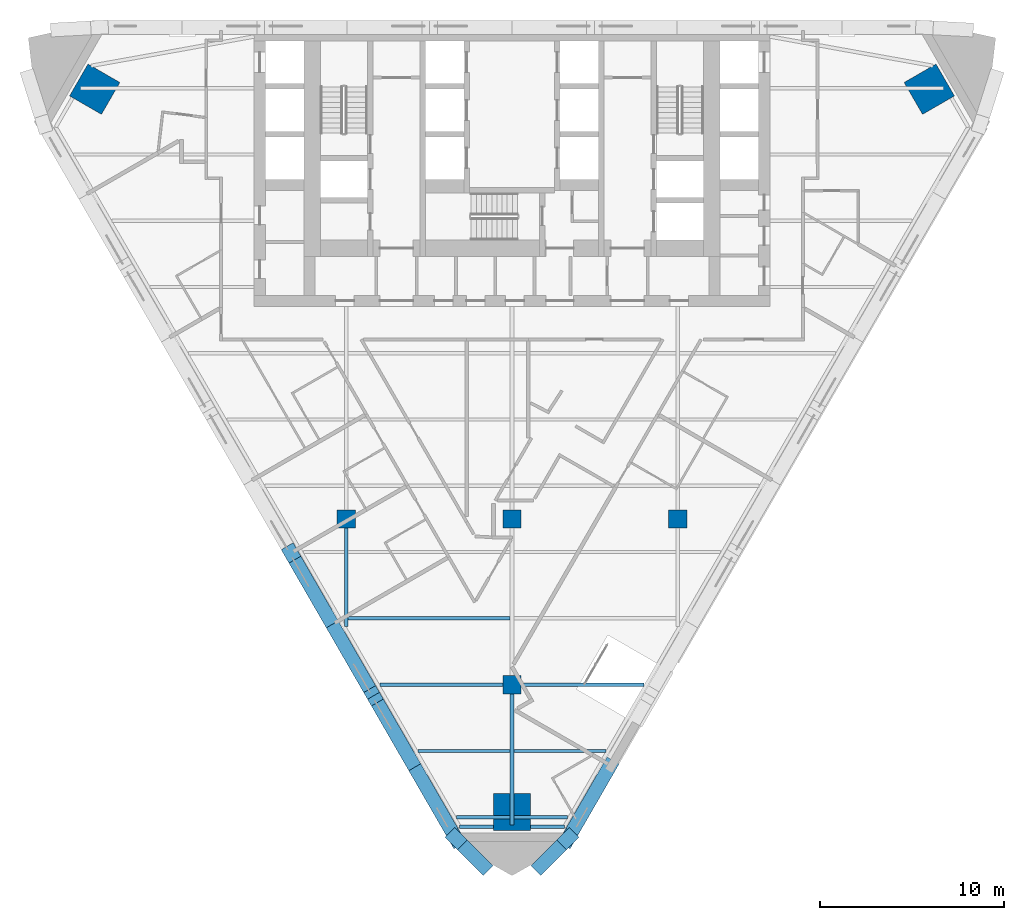
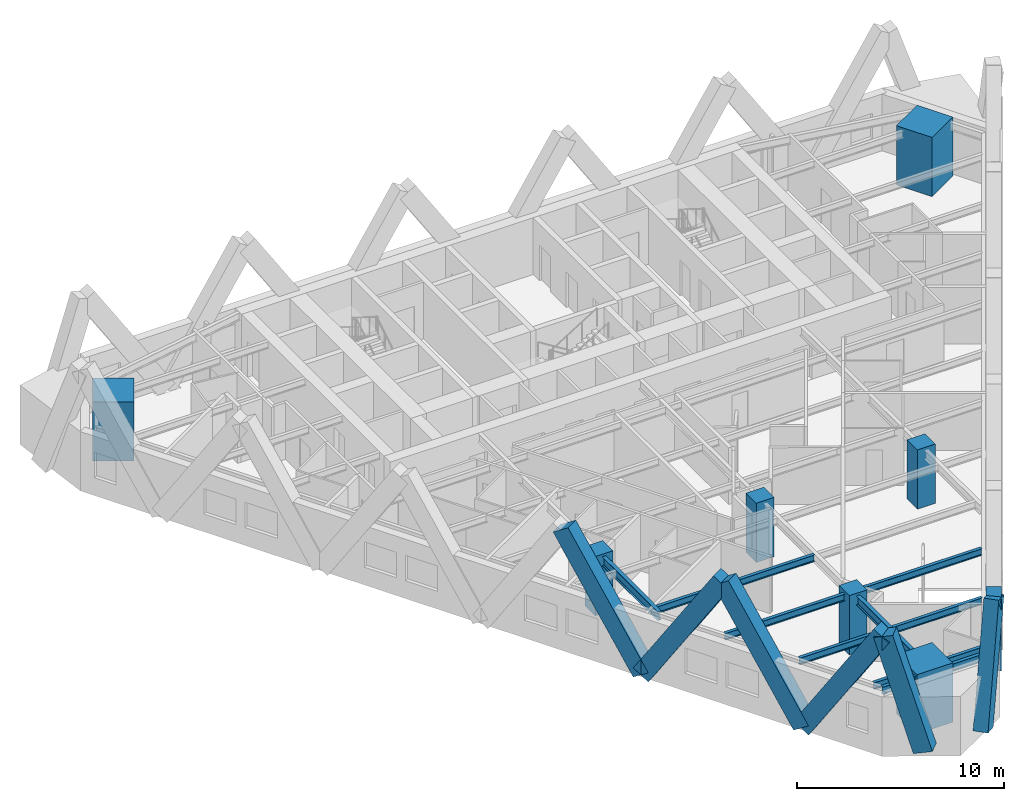
# One storey, part 1 of 12: 11 beams, 7 columns, 7 members.
"""IFC4 building model written with IfcOpenShell, lengths in metres."""

from ifc_helpers import new_model, si_unit, direction, frame, origin, origin_2d, place, context, subcontext, project, spatial, rectangle, i_section, extrude, material, material_profile, profile_set, type_object, element, save


model = new_model("IFC4")

# Units and contexts
model_context = context("Model", 3, precision=1e-05, world=origin(), true_north=direction((0.0, 1.0)))
body_context = subcontext(model_context, "Body", "Model", "MODEL_VIEW")
ifc_project = project(units=[si_unit("LENGTHUNIT", "METRE"), si_unit("AREAUNIT", "SQUARE_METRE"), si_unit("VOLUMEUNIT", "CUBIC_METRE"), si_unit("PLANEANGLEUNIT", "RADIAN"), si_unit("MASSUNIT", "GRAM", prefix="KILO")], contexts=[model_context])

# Site, building, storey
site_placement = place(None, origin())
site = spatial("IfcSite", under=ifc_project, at=site_placement, CompositionType="ELEMENT")
building_placement = place(site_placement, origin())
building = spatial("IfcBuilding", under=site, at=building_placement, Name="Aloe Facet Convention Tower", CompositionType="ELEMENT")
storey_placement = place(building_placement, frame((0.0, 0.0, 70.0)))
storey = spatial("IfcBuildingStorey", under=building, at=storey_placement, Name="L16", CompositionType="ELEMENT", Elevation=70.0)

# Columns
ifc_material_1 = material(Name="Concrete C70/85", Category="concrete")
ifc_material_profile_1 = material_profile(ifc_material_1, rectangle(XDim=1.0, YDim=1.0, at=origin_2d()), Name="SF-GC-Z1")
ifc_profile_set_1 = profile_set([ifc_material_profile_1], Name="Concrete C70/85")
column_type_1 = type_object("IfcColumnType", Name="SF-GC-Z1", PredefinedType="COLUMN", material=ifc_profile_set_1)
for number, where, z_axis, x_axis, name in (
    (1, (71.0, 108.0, 0.0), (0.0, 0.0, 1.0), (1.0, 0.0, 0.0), "Gravity column GC-Z1-8D"),
    (2, (80.0, 99.0, 0.0), (0.0, 0.0, 1.0), (1.0, 0.0, 0.0), "Gravity column GC-Z1-9E"),
    (3, (80.0, 108.0, 0.0), (0.0, 0.0, 1.0), (1.0, 0.0, 0.0), "Gravity column GC-Z1-9D"),
    (4, (89.0, 108.0, 0.0), (0.0, 0.0, 1.0), (1.0, 0.0, 0.0), "Gravity column GC-Z1-10D"),
):
    element("IfcColumn", number, at=place(storey_placement, frame(where, z_axis=z_axis, x_axis=x_axis)), inside=storey, type_object=column_type_1, Name=name, PredefinedType="COLUMN", context=body_context, shape_type="SweptSolid", body=[
        extrude(rectangle(XDim=1.0, YDim=1.0, at=origin_2d()), origin(), (0.0, 0.0, 1.0), 3.5),
    ])
ifc_material_2 = material(Name="Concrete C80/95", Category="concrete")
ifc_material_profile_2 = material_profile(ifc_material_2, rectangle(XDim=2.0, YDim=2.0, at=origin_2d()), Name="STW-MC-Z1")
ifc_profile_set_2 = profile_set([ifc_material_profile_2], Name="Concrete C80/95")
column_type_2 = type_object("IfcColumnType", Name="STW-MC-Z1", PredefinedType="COLUMN", material=ifc_profile_set_2)
for number, where, z_axis, x_axis, name in (
    (5, (102.664306640625, 131.342041015625, 0.0), (0.0, 0.0, 1.0), (-0.5, 0.866025403784, 0.0), "Mega-column MC-NE-L16"),
    (6, (57.335693359375, 131.342041015625, 0.0), (0.0, 0.0, 1.0), (-0.5, -0.866025403784, 0.0), "Mega-column MC-NW-L16"),
    (7, (80.0, 92.086181640625, 0.0), (0.0, 0.0, 1.0), (1.0, 0.0, 0.0), "Mega-column MC-S-L16"),
):
    element("IfcColumn", number, at=place(storey_placement, frame(where, z_axis=z_axis, x_axis=x_axis)), inside=storey, type_object=column_type_2, Name=name, PredefinedType="COLUMN", context=body_context, shape_type="SweptSolid", body=[
        extrude(rectangle(XDim=2.0, YDim=2.0, at=origin_2d()), origin(), (0.0, 0.0, 1.0), 3.5),
    ])

# Beams
ifc_material_3 = material(Name="Steel S355", Category="steel")
ifc_material_profile_3 = material_profile(ifc_material_3, i_section(OverallWidth=0.177734375, OverallDepth=0.402587890625, WebThickness=0.0078125, FlangeThickness=0.010986328125, FilletRadius=0.01025390625, at=origin_2d()), Name="UB 406x178x54")
ifc_profile_set_3 = profile_set([ifc_material_profile_3], Name="Steel S355")
beam_type_1 = type_object("IfcBeamType", Name="SF-B-UB406x178x54", PredefinedType="BEAM", material=ifc_profile_set_3)
beam_1_placement = place(storey_placement, frame((71.10546875, 102.60009765625, 3.148681640625), z_axis=(1.0, 0.0, 0.0), x_axis=(0.0, 1.0, 0.0)))
element("IfcBeam", 8, at=beam_1_placement, inside=storey, type_object=beam_type_1, Name="Floor beam FB-Z1B-024", PredefinedType="BEAM", context=body_context, shape_type="SweptSolid", body=[
    extrude(i_section(OverallWidth=0.177734375, OverallDepth=0.402587890625, WebThickness=0.0078125, FlangeThickness=0.010986328125, FilletRadius=0.01025390625, at=origin_2d()), origin(), (0.0, 0.0, 1.0), 8.7890625),
])
beam_2_placement = place(storey_placement, frame((72.822265625, 99.0, 3.148681640625), z_axis=(1.0, 0.0, 0.0), x_axis=(0.0, 1.0, 0.0)))
element("IfcBeam", 9, at=beam_2_placement, inside=storey, type_object=beam_type_1, Name="Floor beam FB-Z1B-029", PredefinedType="BEAM", context=body_context, shape_type="SweptSolid", body=[
    extrude(i_section(OverallWidth=0.177734375, OverallDepth=0.402587890625, WebThickness=0.0078125, FlangeThickness=0.010986328125, FilletRadius=0.01025390625, at=origin_2d()), origin(), (0.0, 0.0, 1.0), 6.677734375),
])
beam_3_placement = place(storey_placement, frame((74.900634765625, 95.39990234375, 3.148681640625), z_axis=(1.0, 0.0, 0.0), x_axis=(0.0, 1.0, 0.0)))
element("IfcBeam", 10, at=beam_3_placement, inside=storey, type_object=beam_type_1, Name="Floor beam FB-Z1B-030", PredefinedType="BEAM", context=body_context, shape_type="SweptSolid", body=[
    extrude(i_section(OverallWidth=0.177734375, OverallDepth=0.402587890625, WebThickness=0.0078125, FlangeThickness=0.010986328125, FilletRadius=0.01025390625, at=origin_2d()), origin(), (0.0, 0.0, 1.0), 4.993896484375),
])
for number, where, z_axis, x_axis, name in (
    (11, (76.97900390625, 91.800048828125, 3.148681640625), (1.0, 0.0, 0.0), (0.0, 1.0, 0.0), "Floor beam FB-Z1B-031"),
    (12, (80.10546875, 91.800048828125, 3.148681640625), (1.0, 0.0, 0.0), (0.0, 1.0, 0.0), "Floor beam FB-Z1B-032"),
):
    element("IfcBeam", number, at=place(storey_placement, frame(where, z_axis=z_axis, x_axis=x_axis)), inside=storey, type_object=beam_type_1, Name=name, PredefinedType="BEAM", context=body_context, shape_type="SweptSolid", body=[
        extrude(i_section(OverallWidth=0.177734375, OverallDepth=0.402587890625, WebThickness=0.0078125, FlangeThickness=0.010986328125, FilletRadius=0.01025390625, at=origin_2d()), origin(), (0.0, 0.0, 1.0), 2.91552734375),
    ])
beam_4_placement = place(storey_placement, frame((80.10546875, 95.39990234375, 3.148681640625), z_axis=(1.0, 0.0, 0.0), x_axis=(0.0, 1.0, 0.0)))
element("IfcBeam", 13, at=beam_4_placement, inside=storey, type_object=beam_type_1, Name="Floor beam FB-Z1B-033", PredefinedType="BEAM", context=body_context, shape_type="SweptSolid", body=[
    extrude(i_section(OverallWidth=0.177734375, OverallDepth=0.402587890625, WebThickness=0.0078125, FlangeThickness=0.010986328125, FilletRadius=0.01025390625, at=origin_2d()), origin(), (0.0, 0.0, 1.0), 4.993896484375),
])
beam_5_placement = place(storey_placement, frame((80.5, 99.0, 3.148681640625), z_axis=(1.0, 0.0, 0.0), x_axis=(0.0, 1.0, 0.0)))
element("IfcBeam", 14, at=beam_5_placement, inside=storey, type_object=beam_type_1, Name="Floor beam FB-Z1B-039", PredefinedType="BEAM", context=body_context, shape_type="SweptSolid", body=[
    extrude(i_section(OverallWidth=0.177734375, OverallDepth=0.402587890625, WebThickness=0.0078125, FlangeThickness=0.010986328125, FilletRadius=0.01025390625, at=origin_2d()), origin(), (0.0, 0.0, 1.0), 6.677734375),
])
ifc_material_4 = material(Name="Steel S355", Category="steel")
ifc_material_profile_4 = material_profile(ifc_material_4, i_section(OverallWidth=0.18994140625, OverallDepth=0.453369140625, WebThickness=0.008544921875, FlangeThickness=0.0126953125, FilletRadius=0.01025390625, at=origin_2d()), Name="UB 457x191x67")
ifc_profile_set_4 = profile_set([ifc_material_profile_4], Name="Steel S355")
beam_type_2 = type_object("IfcBeamType", Name="SF-B-UB457x191x67", PredefinedType="BEAM", material=ifc_profile_set_4)
for number, where, z_axis, x_axis, name in (
    (15, (79.0, 91.28125, 3.123291015625), (-1.0, 0.0, 0.0), (0.0, -1.0, 0.0), "Floor beam FB-Z1B-004"),
    (16, (82.841064453125, 91.28125, 3.123291015625), (-1.0, 0.0, 0.0), (0.0, -1.0, 0.0), "Floor beam FB-Z1B-005"),
):
    element("IfcBeam", number, at=place(storey_placement, frame(where, z_axis=z_axis, x_axis=x_axis)), inside=storey, type_object=beam_type_2, Name=name, PredefinedType="BEAM", context=body_context, shape_type="SweptSolid", body=[
        extrude(i_section(OverallWidth=0.18994140625, OverallDepth=0.453369140625, WebThickness=0.008544921875, FlangeThickness=0.0126953125, FilletRadius=0.01025390625, at=origin_2d()), origin(), (0.0, 0.0, 1.0), 1.841064453125),
    ])
ifc_material_5 = material(Name="Steel S355", Category="steel")
ifc_material_profile_5 = material_profile(ifc_material_5, i_section(OverallWidth=0.210693359375, OverallDepth=0.53955078125, WebThickness=0.01171875, FlangeThickness=0.018798828125, FilletRadius=0.0126953125, at=origin_2d()), Name="UB 533x210x109")
ifc_profile_set_5 = profile_set([ifc_material_profile_5], Name="Steel S355")
beam_type_3 = type_object("IfcBeamType", Name="SF-B-UB533x210x109", PredefinedType="BEAM", material=ifc_profile_set_5)
beam_6_placement = place(storey_placement, frame((71.0, 107.5, 3.080078125), z_axis=(0.0, -1.0, 0.0), x_axis=(1.0, 0.0, 0.0)))
element("IfcBeam", 17, at=beam_6_placement, inside=storey, type_object=beam_type_3, Name="Floor beam FB-Z1B-009", PredefinedType="BEAM", context=body_context, shape_type="SweptSolid", body=[
    extrude(i_section(OverallWidth=0.210693359375, OverallDepth=0.53955078125, WebThickness=0.01171875, FlangeThickness=0.018798828125, FilletRadius=0.0126953125, at=origin_2d()), origin(), (0.0, 0.0, 1.0), 5.351318359375),
])
beam_7_placement = place(storey_placement, frame((80.0, 98.5, 3.080078125), z_axis=(0.0, -1.0, 0.0), x_axis=(1.0, 0.0, 0.0)))
element("IfcBeam", 18, at=beam_7_placement, inside=storey, type_object=beam_type_3, Name="Floor beam FB-Z1B-011", PredefinedType="BEAM", context=body_context, shape_type="SweptSolid", body=[
    extrude(i_section(OverallWidth=0.210693359375, OverallDepth=0.53955078125, WebThickness=0.01171875, FlangeThickness=0.018798828125, FilletRadius=0.0126953125, at=origin_2d()), origin(), (0.0, 0.0, 1.0), 7.11376953125),
])

# Members
ifc_material_6 = material(Name="Concrete C60/75, bronze oxide finish", Category="concrete")
ifc_material_profile_6 = material_profile(ifc_material_6, rectangle(XDim=0.75, YDim=1.0, at=origin_2d()), Name="STW-LM")
ifc_profile_set_6 = profile_set([ifc_material_profile_6], Name="Concrete C60/75, bronze oxide finish")
member_type = type_object("IfcMemberType", Name="STW-LM", PredefinedType="BRACE", material=ifc_profile_set_6)
for number, where, z_axis, x_axis, name in (
    (19, (70.23974609375, 102.275634765625, 0.0), (-0.269524411036, 0.466842718276, 0.842267456482), (-0.866031314237, -0.499989762656, 0.0), "Lattice member LM-Z1-F2-R5-07"),
    (20, (70.23974609375, 102.275634765625, 0.0), (0.26952810724, -0.466819744104, 0.842279007171), (0.866017690131, 0.500013360201, 0.0), "Lattice member LM-Z1-F2-R5-08"),
    (21, (74.7197265625, 94.51611328125, 0.0), (-0.269524411036, 0.466842718276, 0.842267456482), (-0.866031314237, -0.499989762656, 0.0), "Lattice member LM-Z1-F2-R5-09"),
    (22, (74.7197265625, 94.51611328125, 0.0), (0.269524411036, -0.466842718276, 0.842267456482), (0.866031314237, 0.499989762656, 0.0), "Lattice member LM-Z1-F2-R5-10"),
    (23, (85.2802734375, 94.51611328125, 0.0), (-0.269524411036, -0.466842718276, 0.842267456482), (0.866031314237, -0.499989762656, 0.0), "Lattice member LM-Z1-F3-R5-01"),
):
    element("IfcMember", number, at=place(storey_placement, frame(where, z_axis=z_axis, x_axis=x_axis)), inside=storey, type_object=member_type, Name=name, PredefinedType="BRACE", context=body_context, shape_type="SweptSolid", body=[
        extrude(rectangle(XDim=0.75, YDim=1.0, at=origin_2d()), origin(), (0.0, 0.0, 1.0), 8.310791015625),
    ])
for number, where, z_axis, x_axis, name in (
    (24, (78.372314453125, 89.237060546875, 0.495361328125), (-0.20768233294, 0.205708166277, 0.956322225461), (-0.703721933522, -0.710475502942, 0.0), "Lattice member LM-Z1-F5-R4-05"),
    (25, (81.627685546875, 89.237060546875, 0.495361328125), (0.20768233294, 0.205708166277, 0.956322225461), (-0.703721933522, 0.710475502942, 0.0), "Lattice member LM-Z1-F5-R4-06"),
):
    element("IfcMember", number, at=place(storey_placement, frame(where, z_axis=z_axis, x_axis=x_axis)), inside=storey, type_object=member_type, Name=name, PredefinedType="BRACE", context=body_context, shape_type="SweptSolid", body=[
        extrude(rectangle(XDim=0.75, YDim=1.0, at=origin_2d()), origin(), (0.0, 0.0, 1.0), 6.8017578125),
    ])

save(model, "model.ifc")
